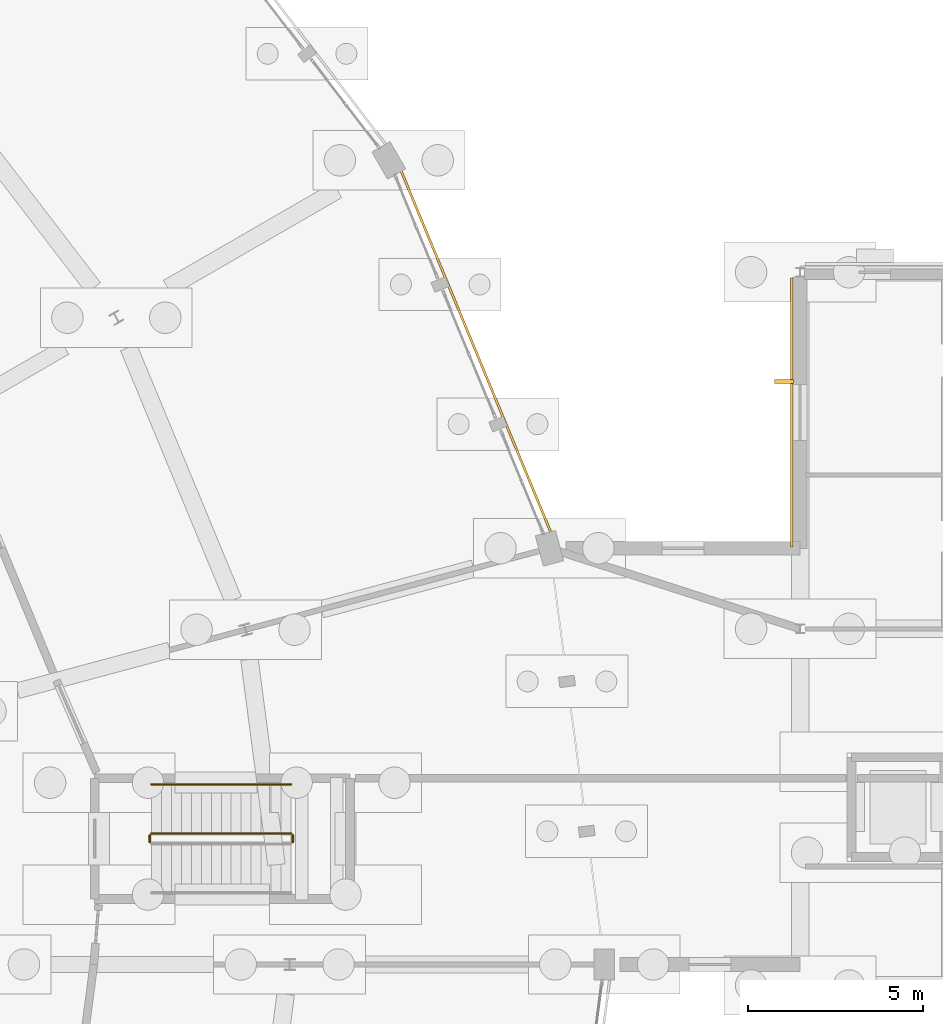
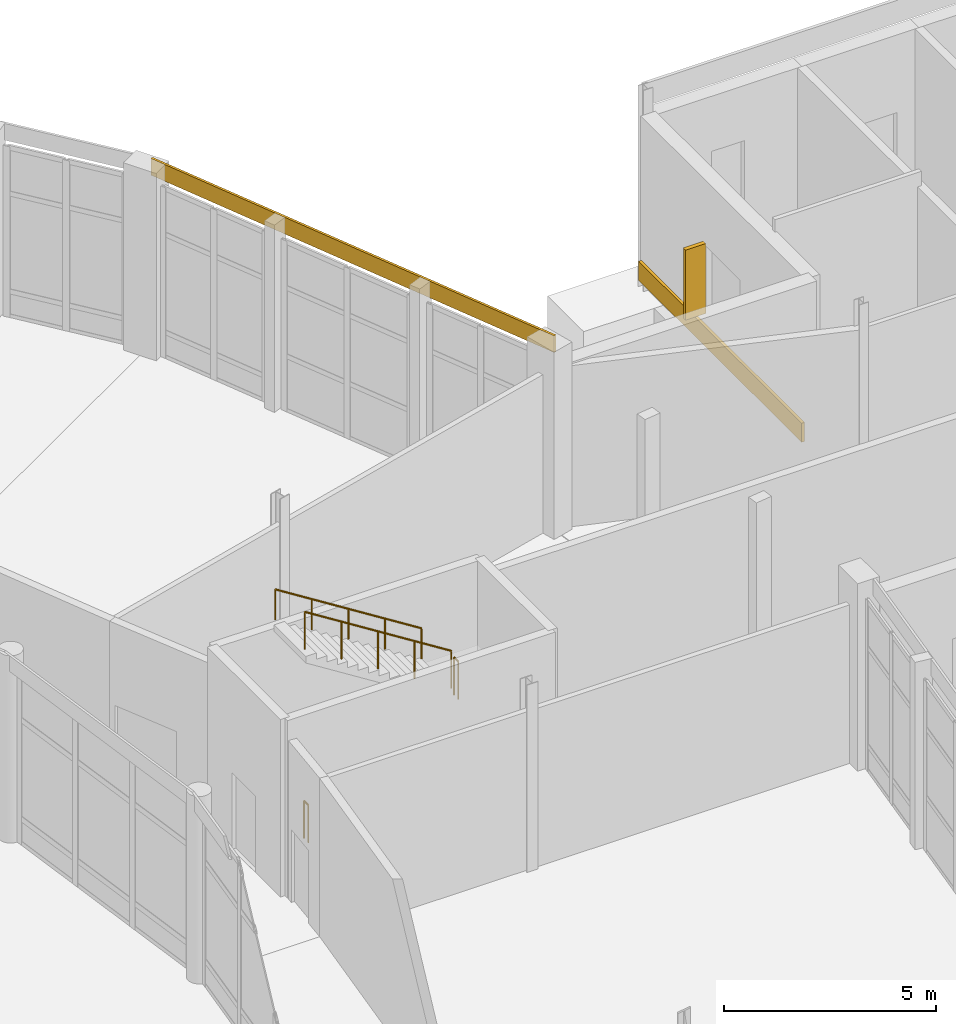
# One storey, part 135 of 137: 4 railings, 2 coverings, 1 shading device.
"""IFC4 building model written with IfcOpenShell, lengths in metres."""

from ifc_helpers import new_model, si_unit, direction, frame, origin, origin_2d, place, context, subcontext, project, spatial, rectangle, circle, extrude, material, layer, layer_set, type_object, element, save


model = new_model("IFC4")

# Units and contexts
model_context = context("Model", 3, precision=1e-05, world=origin(), true_north=direction((0.0, 1.0)))
body_context = subcontext(model_context, "Body", "Model", "MODEL_VIEW")
ifc_project = project(units=[si_unit("LENGTHUNIT", "METRE"), si_unit("AREAUNIT", "SQUARE_METRE"), si_unit("VOLUMEUNIT", "CUBIC_METRE"), si_unit("PLANEANGLEUNIT", "RADIAN"), si_unit("MASSUNIT", "GRAM", prefix="KILO")], contexts=[model_context])

# Site, building, storey
site_placement = place(None, origin())
site = spatial("IfcSite", under=ifc_project, at=site_placement, CompositionType="ELEMENT")
building_placement = place(site_placement, origin())
building = spatial("IfcBuilding", under=site, at=building_placement, Name="Vondelvale Polytechnic", CompositionType="ELEMENT")
storey_placement = place(building_placement, origin())
storey = spatial("IfcBuildingStorey", under=building, at=storey_placement, Name="L00", CompositionType="ELEMENT", Elevation=0.0)

# Coverings
ifc_material_1 = material(Name="Malmsbury bluestone ashlar stone masonry", Category="masonry")
ifc_layer_1 = layer(ifc_material_1, 0.080078125)
ifc_layer_set_1 = layer_set([ifc_layer_1], Name="COV-BLUESTONE-PLINTH")
covering_type_1 = type_object("IfcCoveringType", Name="COV-BLUESTONE-PLINTH", PredefinedType="CLADDING", material=ifc_layer_set_1)
covering_1_placement = place(storey_placement, frame((153.364013671875, 87.787353515625, 0.0), z_axis=(0.0, 0.0, 1.0), x_axis=(0.0, 1.0, 0.0)))
element("IfcCovering", 1, at=covering_1_placement, inside=storey, type_object=covering_type_1, Name="L00 exterior corbelled masonry relief band", PredefinedType="CLADDING", context=body_context, shape_type="SweptSolid", body=[
    extrude(rectangle(XDim=7.703369140625, YDim=0.080078125, at=origin_2d()), origin(), (0.0, 0.0, 1.0), 0.550048828125),
])
ifc_material_2 = material(Name="Engineered Tasmanian oak studio and bridge joinery")
ifc_layer_2 = layer(ifc_material_2, 0.06494140625)
ifc_layer_set_2 = layer_set([ifc_layer_2], Name="COV-OAK-SPANDREL")
covering_type_2 = type_object("IfcCoveringType", Name="COV-OAK-SPANDREL", PredefinedType="CLADDING", material=ifc_layer_set_2)
covering_2_placement = place(storey_placement, frame((144.32958984375, 89.533447265625, 4.919921875), z_axis=(0.0, 0.0, 1.0), x_axis=(-0.382683432365, 0.923879532511, 0.0)))
element("IfcCovering", 2, at=covering_2_placement, inside=storey, type_object=covering_type_2, Name="L00 exterior masonry spandrel band", PredefinedType="CLADDING", context=body_context, shape_type="SweptSolid", body=[
    extrude(rectangle(XDim=12.00830078125, YDim=0.06494140625, at=origin_2d()), origin(), (0.0, 0.0, 1.0), 0.47998046875),
])

# Railings
ifc_material_3 = material(Name="Brushed architectural stainless and zinc-coated metal")
ifc_layer_3 = layer(ifc_material_3, 0.050048828125)
ifc_layer_set_3 = layer_set([ifc_layer_3], Name="RL-STAIR-GUARD")
railing_type_1 = type_object("IfcRailingType", Name="RL-STAIR-GUARD", PredefinedType="GUARDRAIL", material=ifc_layer_set_3)
railing_1_placement = place(storey_placement, frame((139.090087890625, 75.5, 2.699951171875)))
element("IfcRailing", 3, at=railing_1_placement, inside=storey, type_object=railing_type_1, Name="L00 ST-08 stair guard 2", PredefinedType="GUARDRAIL", context=body_context, shape_type="SweptSolid", body=[
    extrude(circle(Radius=0.02392578125, at=origin_2d()), frame((0.0, 0.0, 1.076171875), z_axis=(0.0, 1.0, 0.0), x_axis=(-1.0, 0.0, 0.0)), (0.0, 0.0, 1.0), 0.199951171875),
    extrude(circle(Radius=0.02099609375, at=origin_2d()), origin(), (0.0, 0.0, 1.0), 1.052001953125),
    extrude(circle(Radius=0.02099609375, at=origin_2d()), frame((0.0, 0.199951171875, 0.0)), (0.0, 0.0, 1.0), 1.052001953125),
])
railing_2_placement = place(storey_placement, frame((139.0400390625, 75.75, 2.8798828125)))
element("IfcRailing", 4, at=railing_2_placement, inside=storey, type_object=railing_type_1, Name="L00 ST-08 stair guard 3", PredefinedType="GUARDRAIL", context=body_context, shape_type="SweptSolid", body=[
    extrude(circle(Radius=0.02392578125, at=origin_2d()), frame((0.0, 0.0, 1.076171875), z_axis=(-0.845486444383, 0.0, 0.533996884227), x_axis=(0.0, -1.0, 0.0)), (0.0, 0.0, 1.0), 4.71923828125),
    extrude(circle(Radius=0.02099609375, at=origin_2d()), origin(), (0.0, 0.0, 1.0), 1.052001953125),
    extrude(circle(Radius=0.02099609375, at=origin_2d()), frame((-0.99755859375, 0.0, 0.6298828125)), (0.0, 0.0, 1.0), 1.052001953125),
    extrude(circle(Radius=0.02099609375, at=origin_2d()), frame((-1.9951171875, 0.0, 1.260009765625)), (0.0, 0.0, 1.0), 1.052001953125),
    extrude(circle(Radius=0.02099609375, at=origin_2d()), frame((-2.992431640625, 0.0, 1.89013671875)), (0.0, 0.0, 1.0), 1.052001953125),
    extrude(circle(Radius=0.02099609375, at=origin_2d()), frame((-3.989990234375, 0.0, 2.52001953125)), (0.0, 0.0, 1.0), 1.052001953125),
])
railing_3_placement = place(storey_placement, frame((135.0, 75.5, 0.0)))
element("IfcRailing", 5, at=railing_3_placement, inside=storey, type_object=railing_type_1, Name="L00 ST-08 stair guard 4", PredefinedType="GUARDRAIL", context=body_context, shape_type="SweptSolid", body=[
    extrude(circle(Radius=0.02392578125, at=origin_2d()), frame((0.0, 0.0, 1.076171875), z_axis=(0.0, 1.0, 0.0), x_axis=(-1.0, 0.0, 0.0)), (0.0, 0.0, 1.0), 0.199951171875),
    extrude(circle(Radius=0.02099609375, at=origin_2d()), origin(), (0.0, 0.0, 1.0), 1.052001953125),
    extrude(circle(Radius=0.02099609375, at=origin_2d()), frame((0.0, 0.199951171875, 0.0)), (0.0, 0.0, 1.0), 1.052001953125),
])
ifc_layer_4 = layer(ifc_material_3, 0.048095703125)
ifc_layer_set_4 = layer_set([ifc_layer_4], Name="RL-STAIR-HANDRAIL")
railing_type_2 = type_object("IfcRailingType", Name="RL-STAIR-HANDRAIL", PredefinedType="HANDRAIL", material=ifc_layer_set_4)
railing_4_placement = place(storey_placement, frame((139.0400390625, 77.14990234375, 2.8798828125)))
element("IfcRailing", 6, at=railing_4_placement, inside=storey, type_object=railing_type_2, Name="L00 ST-08 stair handrail 2", PredefinedType="HANDRAIL", context=body_context, shape_type="SweptSolid", body=[
    extrude(circle(Radius=0.02392578125, at=origin_2d()), frame((0.0, 0.0, 0.8759765625), z_axis=(-0.845486444383, 0.0, 0.533996884227), x_axis=(0.0, -1.0, 0.0)), (0.0, 0.0, 1.0), 4.71923828125),
    extrude(circle(Radius=0.02099609375, at=origin_2d()), origin(), (0.0, 0.0, 1.0), 0.851806640625),
    extrude(circle(Radius=0.02099609375, at=origin_2d()), frame((-0.99755859375, 0.0, 0.6298828125)), (0.0, 0.0, 1.0), 0.851806640625),
    extrude(circle(Radius=0.02099609375, at=origin_2d()), frame((-1.9951171875, 0.0, 1.260009765625)), (0.0, 0.0, 1.0), 0.851806640625),
    extrude(circle(Radius=0.02099609375, at=origin_2d()), frame((-2.992431640625, 0.0, 1.89013671875)), (0.0, 0.0, 1.0), 0.851806640625),
    extrude(circle(Radius=0.02099609375, at=origin_2d()), frame((-3.989990234375, 0.0, 2.52001953125)), (0.0, 0.0, 1.0), 0.851806640625),
])

# Shading device
ifc_material_4 = material(Name="Kiln-fired architectural terracotta", Category="masonry")
shading_device_type = type_object("IfcShadingDeviceType", Name="SHD-TERRA-FIN-550", PredefinedType="JALOUSIE", material=ifc_material_4)
shading_device_placement = place(storey_placement, frame((153.139892578125, 88.67724609375, 0.840087890625), z_axis=(0.0, 0.0, 1.0), x_axis=(0.0, 1.0, 0.0)))
element("IfcShadingDevice", 7, at=shading_device_placement, inside=storey, type_object=shading_device_type, Name="L00 vertical terracotta solar fin", PredefinedType="JALOUSIE", context=body_context, shape_type="SweptSolid", body=[
    extrude(rectangle(XDim=0.110107421875, YDim=0.550048828125, at=origin_2d()), origin(), (0.0, 0.0, 1.0), 2.02001953125),
])

save(model, "model.ifc")
